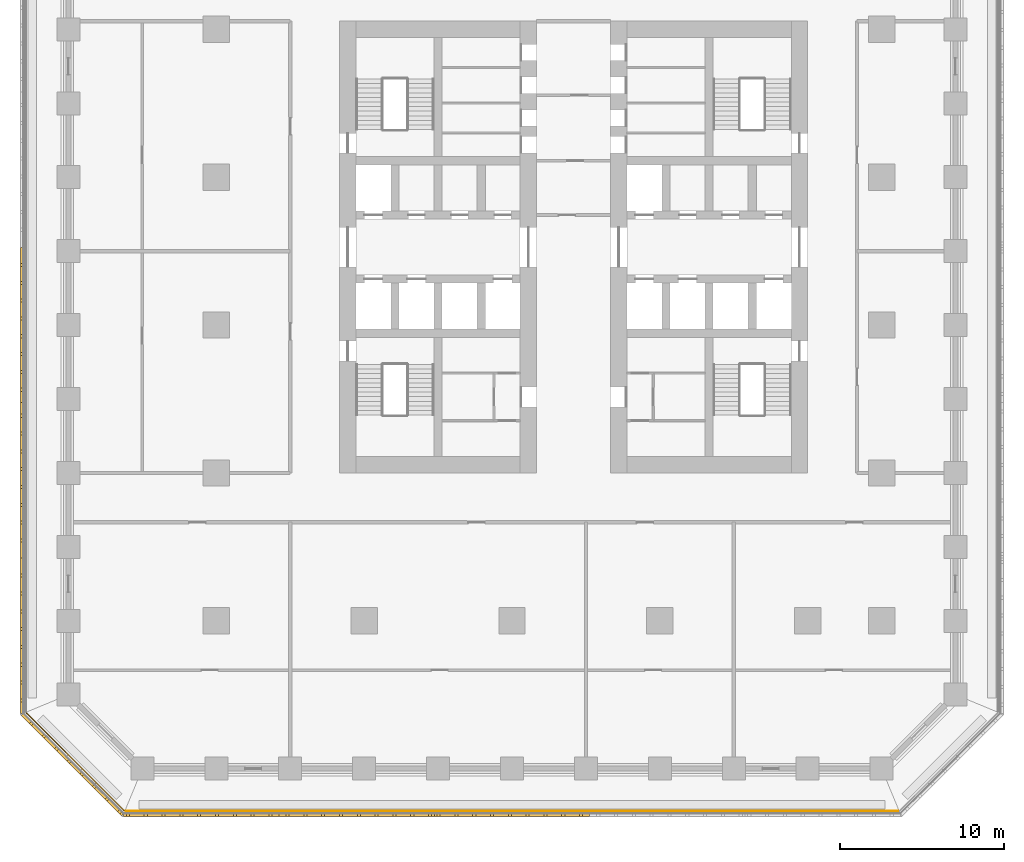
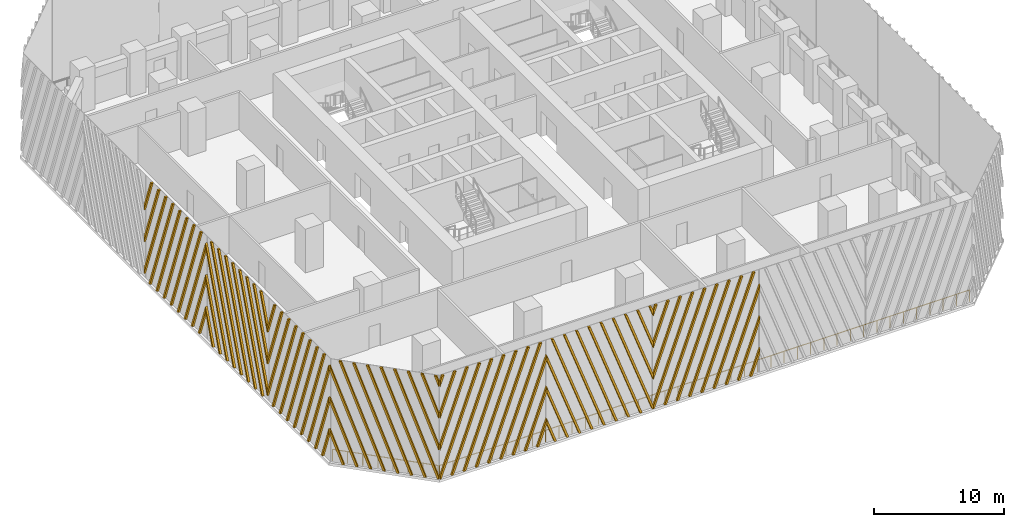
# One storey, part 7 of 12: 7 shading devices, 2 railings.
"""IFC4 building model written with IfcOpenShell, lengths in metres."""

from ifc_helpers import new_model, si_unit, direction, frame, origin, origin_2d, place, context, subcontext, project, spatial, polyline, circle, outline, extrude, source, transform, mapped, material, type_object, element, save


model = new_model("IFC4")

# Units and contexts
model_context = context("Model", 3, precision=1e-05, world=origin(), true_north=direction((0.0, 1.0)))
body_context = subcontext(model_context, "Body", "Model", "MODEL_VIEW")
ifc_project = project(units=[si_unit("LENGTHUNIT", "METRE"), si_unit("AREAUNIT", "SQUARE_METRE"), si_unit("VOLUMEUNIT", "CUBIC_METRE"), si_unit("PLANEANGLEUNIT", "RADIAN"), si_unit("MASSUNIT", "GRAM", prefix="KILO")], contexts=[model_context])

# Site, building, storey
site_placement = place(None, origin())
site = spatial("IfcSite", under=ifc_project, at=site_placement, CompositionType="ELEMENT")
building_placement = place(site_placement, origin())
building = spatial("IfcBuilding", under=site, at=building_placement, Name="Corbel Stack Research Tower", CompositionType="ELEMENT")
storey_placement = place(building_placement, frame((0.0, 0.0, 31.800048828125)))
storey = spatial("IfcBuildingStorey", under=building, at=storey_placement, Name="L07", CompositionType="ELEMENT", Elevation=31.800048828125)

# Railings
ifc_material_1 = material(Name="Powder-coated steel guard", Category="steel")
railing_type = type_object("IfcRailingType", Name="Steel and glass guard 1100", PredefinedType="GUARDRAIL", material=ifc_material_1)
railing_1_placement = place(storey_placement, frame((-23.50537109375, -29.60009765625, 0.0)))
element("IfcRailing", 1, at=railing_1_placement, inside=storey, type_object=railing_type, Name="Loggia guard L07 S", PredefinedType="GUARDRAIL", context=body_context, shape_type="SweptSolid", body=[
    extrude(circle(Radius=0.02392578125, at=origin_2d()), frame((0.0, 0.0, 1.076171875), z_axis=(1.0, 0.0, 0.0), x_axis=(0.0, 1.0, 0.0)), (0.0, 0.0, 1.0), 47.0107421875),
    extrude(circle(Radius=0.02099609375, at=origin_2d()), origin(), (0.0, 0.0, 1.0), 1.052001953125),
    extrude(circle(Radius=0.02099609375, at=origin_2d()), frame((1.17529296875, 0.0, 0.0)), (0.0, 0.0, 1.0), 1.052001953125),
    extrude(circle(Radius=0.02099609375, at=origin_2d()), frame((2.3505859375, 0.0, 0.0)), (0.0, 0.0, 1.0), 1.052001953125),
    extrude(circle(Radius=0.02099609375, at=origin_2d()), frame((3.52587890625, 0.0, 0.0)), (0.0, 0.0, 1.0), 1.052001953125),
    extrude(circle(Radius=0.02099609375, at=origin_2d()), frame((4.701171875, 0.0, 0.0)), (0.0, 0.0, 1.0), 1.052001953125),
    extrude(circle(Radius=0.02099609375, at=origin_2d()), frame((5.87646484375, 0.0, 0.0)), (0.0, 0.0, 1.0), 1.052001953125),
    extrude(circle(Radius=0.02099609375, at=origin_2d()), frame((7.051513671875, 0.0, 0.0)), (0.0, 0.0, 1.0), 1.052001953125),
    extrude(circle(Radius=0.02099609375, at=origin_2d()), frame((8.226806640625, 0.0, 0.0)), (0.0, 0.0, 1.0), 1.052001953125),
    extrude(circle(Radius=0.02099609375, at=origin_2d()), frame((9.402099609375, 0.0, 0.0)), (0.0, 0.0, 1.0), 1.052001953125),
    extrude(circle(Radius=0.02099609375, at=origin_2d()), frame((10.577392578125, 0.0, 0.0)), (0.0, 0.0, 1.0), 1.052001953125),
    extrude(circle(Radius=0.02099609375, at=origin_2d()), frame((11.752685546875, 0.0, 0.0)), (0.0, 0.0, 1.0), 1.052001953125),
    extrude(circle(Radius=0.02099609375, at=origin_2d()), frame((12.927978515625, 0.0, 0.0)), (0.0, 0.0, 1.0), 1.052001953125),
    extrude(circle(Radius=0.02099609375, at=origin_2d()), frame((14.103271484375, 0.0, 0.0)), (0.0, 0.0, 1.0), 1.052001953125),
    extrude(circle(Radius=0.02099609375, at=origin_2d()), frame((15.278564453125, 0.0, 0.0)), (0.0, 0.0, 1.0), 1.052001953125),
    extrude(circle(Radius=0.02099609375, at=origin_2d()), frame((16.453857421875, 0.0, 0.0)), (0.0, 0.0, 1.0), 1.052001953125),
    extrude(circle(Radius=0.02099609375, at=origin_2d()), frame((17.62890625, 0.0, 0.0)), (0.0, 0.0, 1.0), 1.052001953125),
    extrude(circle(Radius=0.02099609375, at=origin_2d()), frame((18.80419921875, 0.0, 0.0)), (0.0, 0.0, 1.0), 1.052001953125),
    extrude(circle(Radius=0.02099609375, at=origin_2d()), frame((19.9794921875, 0.0, 0.0)), (0.0, 0.0, 1.0), 1.052001953125),
    extrude(circle(Radius=0.02099609375, at=origin_2d()), frame((21.15478515625, 0.0, 0.0)), (0.0, 0.0, 1.0), 1.052001953125),
    extrude(circle(Radius=0.02099609375, at=origin_2d()), frame((22.330078125, 0.0, 0.0)), (0.0, 0.0, 1.0), 1.052001953125),
    extrude(circle(Radius=0.02099609375, at=origin_2d()), frame((23.50537109375, 0.0, 0.0)), (0.0, 0.0, 1.0), 1.052001953125),
    extrude(circle(Radius=0.02099609375, at=origin_2d()), frame((24.6806640625, 0.0, 0.0)), (0.0, 0.0, 1.0), 1.052001953125),
    extrude(circle(Radius=0.02099609375, at=origin_2d()), frame((25.85595703125, 0.0, 0.0)), (0.0, 0.0, 1.0), 1.052001953125),
    extrude(circle(Radius=0.02099609375, at=origin_2d()), frame((27.03125, 0.0, 0.0)), (0.0, 0.0, 1.0), 1.052001953125),
    extrude(circle(Radius=0.02099609375, at=origin_2d()), frame((28.20654296875, 0.0, 0.0)), (0.0, 0.0, 1.0), 1.052001953125),
    extrude(circle(Radius=0.02099609375, at=origin_2d()), frame((29.3818359375, 0.0, 0.0)), (0.0, 0.0, 1.0), 1.052001953125),
    extrude(circle(Radius=0.02099609375, at=origin_2d()), frame((30.556884765625, 0.0, 0.0)), (0.0, 0.0, 1.0), 1.052001953125),
    extrude(circle(Radius=0.02099609375, at=origin_2d()), frame((31.732177734375, 0.0, 0.0)), (0.0, 0.0, 1.0), 1.052001953125),
    extrude(circle(Radius=0.02099609375, at=origin_2d()), frame((32.907470703125, 0.0, 0.0)), (0.0, 0.0, 1.0), 1.052001953125),
    extrude(circle(Radius=0.02099609375, at=origin_2d()), frame((34.082763671875, 0.0, 0.0)), (0.0, 0.0, 1.0), 1.052001953125),
    extrude(circle(Radius=0.02099609375, at=origin_2d()), frame((35.258056640625, 0.0, 0.0)), (0.0, 0.0, 1.0), 1.052001953125),
    extrude(circle(Radius=0.02099609375, at=origin_2d()), frame((36.433349609375, 0.0, 0.0)), (0.0, 0.0, 1.0), 1.052001953125),
    extrude(circle(Radius=0.02099609375, at=origin_2d()), frame((37.608642578125, 0.0, 0.0)), (0.0, 0.0, 1.0), 1.052001953125),
    extrude(circle(Radius=0.02099609375, at=origin_2d()), frame((38.783935546875, 0.0, 0.0)), (0.0, 0.0, 1.0), 1.052001953125),
    extrude(circle(Radius=0.02099609375, at=origin_2d()), frame((39.959228515625, 0.0, 0.0)), (0.0, 0.0, 1.0), 1.052001953125),
    extrude(circle(Radius=0.02099609375, at=origin_2d()), frame((41.13427734375, 0.0, 0.0)), (0.0, 0.0, 1.0), 1.052001953125),
    extrude(circle(Radius=0.02099609375, at=origin_2d()), frame((42.3095703125, 0.0, 0.0)), (0.0, 0.0, 1.0), 1.052001953125),
    extrude(circle(Radius=0.02099609375, at=origin_2d()), frame((43.48486328125, 0.0, 0.0)), (0.0, 0.0, 1.0), 1.052001953125),
    extrude(circle(Radius=0.02099609375, at=origin_2d()), frame((44.66015625, 0.0, 0.0)), (0.0, 0.0, 1.0), 1.052001953125),
    extrude(circle(Radius=0.02099609375, at=origin_2d()), frame((45.83544921875, 0.0, 0.0)), (0.0, 0.0, 1.0), 1.052001953125),
    extrude(circle(Radius=0.02099609375, at=origin_2d()), frame((47.0107421875, 0.0, 0.0)), (0.0, 0.0, 1.0), 1.052001953125),
])
railing_2_placement = place(storey_placement, frame((-29.54931640625, -23.627685546875, 0.0)))
element("IfcRailing", 2, at=railing_2_placement, inside=storey, type_object=railing_type, Name="Loggia guard L07 SW", PredefinedType="GUARDRAIL", context=body_context, shape_type="SweptSolid", body=[
    extrude(circle(Radius=0.02392578125, at=origin_2d()), frame((0.0, 0.0, 1.076171875), z_axis=(0.707106781187, -0.707106781187, 0.0), x_axis=(0.707106781187, 0.707106781187, 0.0)), (0.0, 0.0, 1.0), 8.37451171875),
    extrude(circle(Radius=0.02099609375, at=origin_2d()), origin(), (0.0, 0.0, 1.0), 1.052001953125),
    extrude(circle(Radius=0.02099609375, at=origin_2d()), frame((0.845947265625, -0.845947265625, 0.0)), (0.0, 0.0, 1.0), 1.052001953125),
    extrude(circle(Radius=0.02099609375, at=origin_2d()), frame((1.69189453125, -1.69189453125, 0.0)), (0.0, 0.0, 1.0), 1.052001953125),
    extrude(circle(Radius=0.02099609375, at=origin_2d()), frame((2.537841796875, -2.537841796875, 0.0)), (0.0, 0.0, 1.0), 1.052001953125),
    extrude(circle(Radius=0.02099609375, at=origin_2d()), frame((3.3837890625, -3.3837890625, 0.0)), (0.0, 0.0, 1.0), 1.052001953125),
    extrude(circle(Radius=0.02099609375, at=origin_2d()), frame((4.229736328125, -4.229736328125, 0.0)), (0.0, 0.0, 1.0), 1.052001953125),
    extrude(circle(Radius=0.02099609375, at=origin_2d()), frame((5.07568359375, -5.07568359375, 0.0)), (0.0, 0.0, 1.0), 1.052001953125),
    extrude(circle(Radius=0.02099609375, at=origin_2d()), frame((5.921630859375, -5.921630859375, 0.0)), (0.0, 0.0, 1.0), 1.052001953125),
])

# Shading devices
ifc_material_2 = material(Name="Precast terracotta", Category="masonry")
shading_device_type = type_object("IfcShadingDeviceType", Name="Terracotta screen panel", PredefinedType="USERDEFINED", material=ifc_material_2)
shared_shape_1 = source(origin(), body_context, "Body", "SweptSolid", [
    extrude(outline(polyline([(0.353271484375, 9.64990234375), (0.163330078125, 9.64990234375), (0.0, 9.201416015625), (0.0, 8.67919921875), (0.353271484375, 9.64990234375)])), frame((0.0, 0.0, 0.0), z_axis=(0.0, -1.0, 0.0), x_axis=(1.0, 0.0, 0.0)), (0.0, 0.0, 1.0), 0.179931640625),
    extrude(outline(polyline([(1.43798828125, 9.64990234375), (1.248046875, 9.64990234375), (0.0, 6.22119140625), (0.0, 5.69921875), (1.43798828125, 9.64990234375)])), frame((0.0, 0.0, 0.0), z_axis=(0.0, -1.0, 0.0), x_axis=(1.0, 0.0, 0.0)), (0.0, 0.0, 1.0), 0.179931640625),
    extrude(outline(polyline([(2.522705078125, 9.64990234375), (2.33251953125, 9.64990234375), (0.0, 3.2412109375), (0.0, 2.718994140625), (2.522705078125, 9.64990234375)])), frame((0.0, 0.0, 0.0), z_axis=(0.0, -1.0, 0.0), x_axis=(1.0, 0.0, 0.0)), (0.0, 0.0, 1.0), 0.179931640625),
    extrude(outline(polyline([(0.094970703125, 0.0), (3.607421875, 9.64990234375), (3.417236328125, 9.64990234375), (0.0, 0.260986328125), (0.0, 0.0), (0.094970703125, 0.0)])), frame((0.0, 0.0, 0.0), z_axis=(0.0, -1.0, 0.0), x_axis=(1.0, 0.0, 0.0)), (0.0, 0.0, 1.0), 0.179931640625),
    extrude(outline(polyline([(1.1796875, 0.0), (4.69189453125, 9.64990234375), (4.501953125, 9.64990234375), (0.98974609375, 0.0), (1.1796875, 0.0)])), frame((0.0, 0.0, 0.0), z_axis=(0.0, -1.0, 0.0), x_axis=(1.0, 0.0, 0.0)), (0.0, 0.0, 1.0), 0.179931640625),
    extrude(outline(polyline([(2.264404296875, 0.0), (5.776611328125, 9.64990234375), (5.586669921875, 9.64990234375), (2.07421875, 0.0), (2.264404296875, 0.0)])), frame((0.0, 0.0, 0.0), z_axis=(0.0, -1.0, 0.0), x_axis=(1.0, 0.0, 0.0)), (0.0, 0.0, 1.0), 0.179931640625),
    extrude(outline(polyline([(3.34912109375, 0.0), (6.861328125, 9.64990234375), (6.67138671875, 9.64990234375), (3.158935546875, 0.0), (3.34912109375, 0.0)])), frame((0.0, 0.0, 0.0), z_axis=(0.0, -1.0, 0.0), x_axis=(1.0, 0.0, 0.0)), (0.0, 0.0, 1.0), 0.179931640625),
    extrude(outline(polyline([(4.43359375, 0.0), (7.946044921875, 9.64990234375), (7.756103515625, 9.64990234375), (4.24365234375, 0.0), (4.43359375, 0.0)])), frame((0.0, 0.0, 0.0), z_axis=(0.0, -1.0, 0.0), x_axis=(1.0, 0.0, 0.0)), (0.0, 0.0, 1.0), 0.179931640625),
    extrude(outline(polyline([(5.518310546875, 0.0), (9.030517578125, 9.64990234375), (8.840576171875, 9.64990234375), (5.328369140625, 0.0), (5.518310546875, 0.0)])), frame((0.0, 0.0, 0.0), z_axis=(0.0, -1.0, 0.0), x_axis=(1.0, 0.0, 0.0)), (0.0, 0.0, 1.0), 0.179931640625),
    extrude(outline(polyline([(6.60302734375, 0.0), (9.45556640625, 7.837646484375), (9.45556640625, 8.359619140625), (6.4130859375, 0.0), (6.60302734375, 0.0)])), frame((0.0, 0.0, 0.0), z_axis=(0.0, -1.0, 0.0), x_axis=(1.0, 0.0, 0.0)), (0.0, 0.0, 1.0), 0.179931640625),
    extrude(outline(polyline([(7.687744140625, 0.0), (9.45556640625, 4.857421875), (9.45556640625, 5.37939453125), (7.497802734375, 0.0), (7.687744140625, 0.0)])), frame((0.0, 0.0, 0.0), z_axis=(0.0, -1.0, 0.0), x_axis=(1.0, 0.0, 0.0)), (0.0, 0.0, 1.0), 0.179931640625),
    extrude(outline(polyline([(8.772216796875, 0.0), (9.45556640625, 1.87744140625), (9.45556640625, 2.3994140625), (8.582275390625, 0.0), (8.772216796875, 0.0)])), frame((0.0, 0.0, 0.0), z_axis=(0.0, -1.0, 0.0), x_axis=(1.0, 0.0, 0.0)), (0.0, 0.0, 1.0), 0.179931640625),
])
for number, where, z_axis, x_axis, name in (
    (3, (-23.63916015625, -29.75, 0.0), (0.0, 0.0, 1.0), (1.0, 0.0, 0.0), "Terracotta screen L07 S1"),
    (4, (-4.727783203125, -29.75, 0.0), (0.0, 0.0, 1.0), (1.0, 0.0, 0.0), "Terracotta screen L07 S3"),
):
    element("IfcShadingDevice", number, at=place(storey_placement, frame(where, z_axis=z_axis, x_axis=x_axis)), inside=storey, type_object=shading_device_type, Name=name, ObjectType="SCREEN", PredefinedType="USERDEFINED", context=body_context, shape_type="MappedRepresentation", body=[
        mapped(shared_shape_1, transform((0.0, 0.0, 0.0))),
    ])
shared_shape_2 = source(origin(), body_context, "Body", "SweptSolid", [
    extrude(outline(polyline([(0.873291015625, 0.0), (0.0, 2.3994140625), (0.0, 1.87744140625), (0.683349609375, 0.0), (0.873291015625, 0.0)])), frame((0.0, 0.0, 0.0), z_axis=(0.0, -1.0, 0.0), x_axis=(1.0, 0.0, 0.0)), (0.0, 0.0, 1.0), 0.179931640625),
    extrude(outline(polyline([(1.9580078125, 0.0), (0.0, 5.37939453125), (0.0, 4.857421875), (1.76806640625, 0.0), (1.9580078125, 0.0)])), frame((0.0, 0.0, 0.0), z_axis=(0.0, -1.0, 0.0), x_axis=(1.0, 0.0, 0.0)), (0.0, 0.0, 1.0), 0.179931640625),
    extrude(outline(polyline([(3.04248046875, 0.0), (0.0, 8.359619140625), (0.0, 7.837646484375), (2.8525390625, 0.0), (3.04248046875, 0.0)])), frame((0.0, 0.0, 0.0), z_axis=(0.0, -1.0, 0.0), x_axis=(1.0, 0.0, 0.0)), (0.0, 0.0, 1.0), 0.179931640625),
    extrude(outline(polyline([(4.127197265625, 0.0), (0.614990234375, 9.64990234375), (0.425048828125, 9.64990234375), (3.937255859375, 0.0), (4.127197265625, 0.0)])), frame((0.0, 0.0, 0.0), z_axis=(0.0, -1.0, 0.0), x_axis=(1.0, 0.0, 0.0)), (0.0, 0.0, 1.0), 0.179931640625),
    extrude(outline(polyline([(5.2119140625, 0.0), (1.69970703125, 9.64990234375), (1.509765625, 9.64990234375), (5.02197265625, 0.0), (5.2119140625, 0.0)])), frame((0.0, 0.0, 0.0), z_axis=(0.0, -1.0, 0.0), x_axis=(1.0, 0.0, 0.0)), (0.0, 0.0, 1.0), 0.179931640625),
    extrude(outline(polyline([(6.296630859375, 0.0), (2.7841796875, 9.64990234375), (2.59423828125, 9.64990234375), (6.106689453125, 0.0), (6.296630859375, 0.0)])), frame((0.0, 0.0, 0.0), z_axis=(0.0, -1.0, 0.0), x_axis=(1.0, 0.0, 0.0)), (0.0, 0.0, 1.0), 0.179931640625),
    extrude(outline(polyline([(7.38134765625, 0.0), (3.868896484375, 9.64990234375), (3.678955078125, 9.64990234375), (7.19140625, 0.0), (7.38134765625, 0.0)])), frame((0.0, 0.0, 0.0), z_axis=(0.0, -1.0, 0.0), x_axis=(1.0, 0.0, 0.0)), (0.0, 0.0, 1.0), 0.179931640625),
    extrude(outline(polyline([(8.466064453125, 0.0), (4.95361328125, 9.64990234375), (4.763671875, 9.64990234375), (8.27587890625, 0.0), (8.466064453125, 0.0)])), frame((0.0, 0.0, 0.0), z_axis=(0.0, -1.0, 0.0), x_axis=(1.0, 0.0, 0.0)), (0.0, 0.0, 1.0), 0.179931640625),
    extrude(outline(polyline([(9.45556640625, 0.0), (9.45556640625, 0.260986328125), (6.038330078125, 9.64990234375), (5.848388671875, 9.64990234375), (9.360595703125, 0.0), (9.45556640625, 0.0)])), frame((0.0, 0.0, 0.0), z_axis=(0.0, -1.0, 0.0), x_axis=(1.0, 0.0, 0.0)), (0.0, 0.0, 1.0), 0.179931640625),
    extrude(outline(polyline([(7.123046875, 9.64990234375), (6.93310546875, 9.64990234375), (9.45556640625, 2.718994140625), (9.45556640625, 3.2412109375), (7.123046875, 9.64990234375)])), frame((0.0, 0.0, 0.0), z_axis=(0.0, -1.0, 0.0), x_axis=(1.0, 0.0, 0.0)), (0.0, 0.0, 1.0), 0.179931640625),
    extrude(outline(polyline([(8.207763671875, 9.64990234375), (8.017578125, 9.64990234375), (9.45556640625, 5.69921875), (9.45556640625, 6.22119140625), (8.207763671875, 9.64990234375)])), frame((0.0, 0.0, 0.0), z_axis=(0.0, -1.0, 0.0), x_axis=(1.0, 0.0, 0.0)), (0.0, 0.0, 1.0), 0.179931640625),
    extrude(outline(polyline([(9.292236328125, 9.64990234375), (9.102294921875, 9.64990234375), (9.45556640625, 8.67919921875), (9.45556640625, 9.201416015625), (9.292236328125, 9.64990234375)])), frame((0.0, 0.0, 0.0), z_axis=(0.0, -1.0, 0.0), x_axis=(1.0, 0.0, 0.0)), (0.0, 0.0, 1.0), 0.179931640625),
])
shading_device_1_placement = place(storey_placement, frame((-14.18359375, -29.75, 0.0), z_axis=(0.0, 0.0, 1.0), x_axis=(1.0, 0.0, 0.0)))
element("IfcShadingDevice", 5, at=shading_device_1_placement, inside=storey, type_object=shading_device_type, Name="Terracotta screen L07 S2", ObjectType="SCREEN", PredefinedType="USERDEFINED", context=body_context, shape_type="MappedRepresentation", body=[
    mapped(shared_shape_2, transform((0.0, 0.0, 0.0))),
])
shared_shape_3 = source(origin(), body_context, "Body", "SweptSolid", [
    extrude(outline(polyline([(1.166748046875, 9.64990234375), (0.976806640625, 9.64990234375), (0.0, 6.96630859375), (0.0, 6.444091796875), (1.166748046875, 9.64990234375)])), frame((0.0, 0.0, 0.0), z_axis=(0.0, -1.0, 0.0), x_axis=(1.0, 0.0, 0.0)), (0.0, 0.0, 1.0), 0.179931640625),
    extrude(outline(polyline([(2.25146484375, 9.64990234375), (2.0615234375, 9.64990234375), (0.0, 3.986083984375), (0.0, 3.464111328125), (2.25146484375, 9.64990234375)])), frame((0.0, 0.0, 0.0), z_axis=(0.0, -1.0, 0.0), x_axis=(1.0, 0.0, 0.0)), (0.0, 0.0, 1.0), 0.179931640625),
    extrude(outline(polyline([(3.336181640625, 9.64990234375), (3.14599609375, 9.64990234375), (0.0, 1.006103515625), (0.0, 0.48388671875), (3.336181640625, 9.64990234375)])), frame((0.0, 0.0, 0.0), z_axis=(0.0, -1.0, 0.0), x_axis=(1.0, 0.0, 0.0)), (0.0, 0.0, 1.0), 0.179931640625),
    extrude(outline(polyline([(0.908447265625, 0.0), (4.4208984375, 9.64990234375), (4.230712890625, 9.64990234375), (0.718505859375, 0.0), (0.908447265625, 0.0)])), frame((0.0, 0.0, 0.0), z_axis=(0.0, -1.0, 0.0), x_axis=(1.0, 0.0, 0.0)), (0.0, 0.0, 1.0), 0.179931640625),
    extrude(outline(polyline([(1.9931640625, 0.0), (5.505615234375, 9.64990234375), (5.3154296875, 9.64990234375), (1.80322265625, 0.0), (1.9931640625, 0.0)])), frame((0.0, 0.0, 0.0), z_axis=(0.0, -1.0, 0.0), x_axis=(1.0, 0.0, 0.0)), (0.0, 0.0, 1.0), 0.179931640625),
    extrude(outline(polyline([(3.077880859375, 0.0), (6.590087890625, 9.64990234375), (6.400146484375, 9.64990234375), (2.8876953125, 0.0), (3.077880859375, 0.0)])), frame((0.0, 0.0, 0.0), z_axis=(0.0, -1.0, 0.0), x_axis=(1.0, 0.0, 0.0)), (0.0, 0.0, 1.0), 0.179931640625),
    extrude(outline(polyline([(4.16259765625, 0.0), (7.6748046875, 9.64990234375), (7.48486328125, 9.64990234375), (3.972412109375, 0.0), (4.16259765625, 0.0)])), frame((0.0, 0.0, 0.0), z_axis=(0.0, -1.0, 0.0), x_axis=(1.0, 0.0, 0.0)), (0.0, 0.0, 1.0), 0.179931640625),
    extrude(outline(polyline([(5.247314453125, 0.0), (8.759521484375, 9.64990234375), (8.569580078125, 9.64990234375), (5.05712890625, 0.0), (5.247314453125, 0.0)])), frame((0.0, 0.0, 0.0), z_axis=(0.0, -1.0, 0.0), x_axis=(1.0, 0.0, 0.0)), (0.0, 0.0, 1.0), 0.179931640625),
    extrude(outline(polyline([(6.331787109375, 0.0), (9.45556640625, 8.58251953125), (9.45556640625, 9.1044921875), (6.141845703125, 0.0), (6.331787109375, 0.0)])), frame((0.0, 0.0, 0.0), z_axis=(0.0, -1.0, 0.0), x_axis=(1.0, 0.0, 0.0)), (0.0, 0.0, 1.0), 0.179931640625),
    extrude(outline(polyline([(7.41650390625, 0.0), (9.45556640625, 5.6025390625), (9.45556640625, 6.12451171875), (7.2265625, 0.0), (7.41650390625, 0.0)])), frame((0.0, 0.0, 0.0), z_axis=(0.0, -1.0, 0.0), x_axis=(1.0, 0.0, 0.0)), (0.0, 0.0, 1.0), 0.179931640625),
    extrude(outline(polyline([(8.501220703125, 0.0), (9.45556640625, 2.622314453125), (9.45556640625, 3.144287109375), (8.311279296875, 0.0), (8.501220703125, 0.0)])), frame((0.0, 0.0, 0.0), z_axis=(0.0, -1.0, 0.0), x_axis=(1.0, 0.0, 0.0)), (0.0, 0.0, 1.0), 0.179931640625),
])
for number, where, z_axis, x_axis, name in (
    (6, (-29.75, 4.727783203125, 0.0), (0.0, 0.0, 1.0), (0.0, -1.0, 0.0), "Terracotta screen L07 W3"),
    (7, (-29.75, -14.18359375, 0.0), (0.0, 0.0, 1.0), (0.0, -1.0, 0.0), "Terracotta screen L07 W5"),
):
    element("IfcShadingDevice", number, at=place(storey_placement, frame(where, z_axis=z_axis, x_axis=x_axis)), inside=storey, type_object=shading_device_type, Name=name, ObjectType="SCREEN", PredefinedType="USERDEFINED", context=body_context, shape_type="MappedRepresentation", body=[
        mapped(shared_shape_3, transform((0.0, 0.0, 0.0))),
    ])
shared_shape_4 = source(origin(), body_context, "Body", "SweptSolid", [
    extrude(outline(polyline([(1.14453125, 0.0), (0.0, 3.144287109375), (0.0, 2.622314453125), (0.95458984375, 0.0), (1.14453125, 0.0)])), frame((0.0, 0.0, 0.0), z_axis=(0.0, -1.0, 0.0), x_axis=(1.0, 0.0, 0.0)), (0.0, 0.0, 1.0), 0.179931640625),
    extrude(outline(polyline([(2.22900390625, 0.0), (0.0, 6.12451171875), (0.0, 5.6025390625), (2.0390625, 0.0), (2.22900390625, 0.0)])), frame((0.0, 0.0, 0.0), z_axis=(0.0, -1.0, 0.0), x_axis=(1.0, 0.0, 0.0)), (0.0, 0.0, 1.0), 0.179931640625),
    extrude(outline(polyline([(3.313720703125, 0.0), (0.0, 9.1044921875), (0.0, 8.58251953125), (3.123779296875, 0.0), (3.313720703125, 0.0)])), frame((0.0, 0.0, 0.0), z_axis=(0.0, -1.0, 0.0), x_axis=(1.0, 0.0, 0.0)), (0.0, 0.0, 1.0), 0.179931640625),
    extrude(outline(polyline([(4.3984375, 0.0), (0.88623046875, 9.64990234375), (0.6962890625, 9.64990234375), (4.20849609375, 0.0), (4.3984375, 0.0)])), frame((0.0, 0.0, 0.0), z_axis=(0.0, -1.0, 0.0), x_axis=(1.0, 0.0, 0.0)), (0.0, 0.0, 1.0), 0.179931640625),
    extrude(outline(polyline([(5.483154296875, 0.0), (1.970703125, 9.64990234375), (1.78076171875, 9.64990234375), (5.293212890625, 0.0), (5.483154296875, 0.0)])), frame((0.0, 0.0, 0.0), z_axis=(0.0, -1.0, 0.0), x_axis=(1.0, 0.0, 0.0)), (0.0, 0.0, 1.0), 0.179931640625),
    extrude(outline(polyline([(6.56787109375, 0.0), (3.055419921875, 9.64990234375), (2.865478515625, 9.64990234375), (6.377685546875, 0.0), (6.56787109375, 0.0)])), frame((0.0, 0.0, 0.0), z_axis=(0.0, -1.0, 0.0), x_axis=(1.0, 0.0, 0.0)), (0.0, 0.0, 1.0), 0.179931640625),
    extrude(outline(polyline([(7.652587890625, 0.0), (4.14013671875, 9.64990234375), (3.9501953125, 9.64990234375), (7.46240234375, 0.0), (7.652587890625, 0.0)])), frame((0.0, 0.0, 0.0), z_axis=(0.0, -1.0, 0.0), x_axis=(1.0, 0.0, 0.0)), (0.0, 0.0, 1.0), 0.179931640625),
    extrude(outline(polyline([(8.737060546875, 0.0), (5.224853515625, 9.64990234375), (5.034912109375, 9.64990234375), (8.547119140625, 0.0), (8.737060546875, 0.0)])), frame((0.0, 0.0, 0.0), z_axis=(0.0, -1.0, 0.0), x_axis=(1.0, 0.0, 0.0)), (0.0, 0.0, 1.0), 0.179931640625),
    extrude(outline(polyline([(6.3095703125, 9.64990234375), (6.119384765625, 9.64990234375), (9.45556640625, 0.48388671875), (9.45556640625, 1.006103515625), (6.3095703125, 9.64990234375)])), frame((0.0, 0.0, 0.0), z_axis=(0.0, -1.0, 0.0), x_axis=(1.0, 0.0, 0.0)), (0.0, 0.0, 1.0), 0.179931640625),
    extrude(outline(polyline([(7.394287109375, 9.64990234375), (7.2041015625, 9.64990234375), (9.45556640625, 3.464111328125), (9.45556640625, 3.986083984375), (7.394287109375, 9.64990234375)])), frame((0.0, 0.0, 0.0), z_axis=(0.0, -1.0, 0.0), x_axis=(1.0, 0.0, 0.0)), (0.0, 0.0, 1.0), 0.179931640625),
    extrude(outline(polyline([(8.478759765625, 9.64990234375), (8.288818359375, 9.64990234375), (9.45556640625, 6.444091796875), (9.45556640625, 6.96630859375), (8.478759765625, 9.64990234375)])), frame((0.0, 0.0, 0.0), z_axis=(0.0, -1.0, 0.0), x_axis=(1.0, 0.0, 0.0)), (0.0, 0.0, 1.0), 0.179931640625),
])
shading_device_2_placement = place(storey_placement, frame((-29.75, -4.727783203125, 0.0), z_axis=(0.0, 0.0, 1.0), x_axis=(0.0, -1.0, 0.0)))
element("IfcShadingDevice", 8, at=shading_device_2_placement, inside=storey, type_object=shading_device_type, Name="Terracotta screen L07 W4", ObjectType="SCREEN", PredefinedType="USERDEFINED", context=body_context, shape_type="MappedRepresentation", body=[
    mapped(shared_shape_4, transform((0.0, 0.0, 0.0))),
])
shared_shape_5 = source(origin(), body_context, "Body", "SweptSolid", [
    extrude(outline(polyline([(1.14453125, 0.0), (0.0, 3.144287109375), (0.0, 2.622314453125), (0.95458984375, 0.0), (1.14453125, 0.0)])), frame((0.0, 0.0, 0.0), z_axis=(0.0, -1.0, 0.0), x_axis=(1.0, 0.0, 0.0)), (0.0, 0.0, 1.0), 0.179931640625),
    extrude(outline(polyline([(2.22900390625, 0.0), (0.0, 6.12451171875), (0.0, 5.6025390625), (2.0390625, 0.0), (2.22900390625, 0.0)])), frame((0.0, 0.0, 0.0), z_axis=(0.0, -1.0, 0.0), x_axis=(1.0, 0.0, 0.0)), (0.0, 0.0, 1.0), 0.179931640625),
    extrude(outline(polyline([(3.313720703125, 0.0), (0.0, 9.1044921875), (0.0, 8.58251953125), (3.123779296875, 0.0), (3.313720703125, 0.0)])), frame((0.0, 0.0, 0.0), z_axis=(0.0, -1.0, 0.0), x_axis=(1.0, 0.0, 0.0)), (0.0, 0.0, 1.0), 0.179931640625),
    extrude(outline(polyline([(4.3984375, 0.0), (0.88623046875, 9.64990234375), (0.6962890625, 9.64990234375), (4.20849609375, 0.0), (4.3984375, 0.0)])), frame((0.0, 0.0, 0.0), z_axis=(0.0, -1.0, 0.0), x_axis=(1.0, 0.0, 0.0)), (0.0, 0.0, 1.0), 0.179931640625),
    extrude(outline(polyline([(5.483154296875, 0.0), (1.970703125, 9.64990234375), (1.78076171875, 9.64990234375), (5.293212890625, 0.0), (5.483154296875, 0.0)])), frame((0.0, 0.0, 0.0), z_axis=(0.0, -1.0, 0.0), x_axis=(1.0, 0.0, 0.0)), (0.0, 0.0, 1.0), 0.179931640625),
    extrude(outline(polyline([(6.56787109375, 0.0), (3.055419921875, 9.64990234375), (2.865478515625, 9.64990234375), (6.377685546875, 0.0), (6.56787109375, 0.0)])), frame((0.0, 0.0, 0.0), z_axis=(0.0, -1.0, 0.0), x_axis=(1.0, 0.0, 0.0)), (0.0, 0.0, 1.0), 0.179931640625),
    extrude(outline(polyline([(7.652587890625, 0.0), (4.14013671875, 9.64990234375), (3.9501953125, 9.64990234375), (7.46240234375, 0.0), (7.652587890625, 0.0)])), frame((0.0, 0.0, 0.0), z_axis=(0.0, -1.0, 0.0), x_axis=(1.0, 0.0, 0.0)), (0.0, 0.0, 1.0), 0.179931640625),
    extrude(outline(polyline([(8.64208984375, 0.0), (8.64208984375, 0.260986328125), (5.224853515625, 9.64990234375), (5.034912109375, 9.64990234375), (8.547119140625, 0.0), (8.64208984375, 0.0)])), frame((0.0, 0.0, 0.0), z_axis=(0.0, -1.0, 0.0), x_axis=(1.0, 0.0, 0.0)), (0.0, 0.0, 1.0), 0.179931640625),
    extrude(outline(polyline([(6.3095703125, 9.64990234375), (6.119384765625, 9.64990234375), (8.64208984375, 2.718994140625), (8.64208984375, 3.2412109375), (6.3095703125, 9.64990234375)])), frame((0.0, 0.0, 0.0), z_axis=(0.0, -1.0, 0.0), x_axis=(1.0, 0.0, 0.0)), (0.0, 0.0, 1.0), 0.179931640625),
    extrude(outline(polyline([(7.394287109375, 9.64990234375), (7.2041015625, 9.64990234375), (8.64208984375, 5.69921875), (8.64208984375, 6.22119140625), (7.394287109375, 9.64990234375)])), frame((0.0, 0.0, 0.0), z_axis=(0.0, -1.0, 0.0), x_axis=(1.0, 0.0, 0.0)), (0.0, 0.0, 1.0), 0.179931640625),
    extrude(outline(polyline([(8.478759765625, 9.64990234375), (8.288818359375, 9.64990234375), (8.64208984375, 8.67919921875), (8.64208984375, 9.201416015625), (8.478759765625, 9.64990234375)])), frame((0.0, 0.0, 0.0), z_axis=(0.0, -1.0, 0.0), x_axis=(1.0, 0.0, 0.0)), (0.0, 0.0, 1.0), 0.179931640625),
])
shading_device_3_placement = place(storey_placement, frame((-29.75, -23.63916015625, 0.0), z_axis=(0.0, 0.0, 1.0), x_axis=(0.707106781187, -0.707106781187, 0.0)))
element("IfcShadingDevice", 9, at=shading_device_3_placement, inside=storey, type_object=shading_device_type, Name="Terracotta screen L07 SW1", ObjectType="SCREEN", PredefinedType="USERDEFINED", context=body_context, shape_type="MappedRepresentation", body=[
    mapped(shared_shape_5, transform((0.0, 0.0, 0.0))),
])

save(model, "model.ifc")
